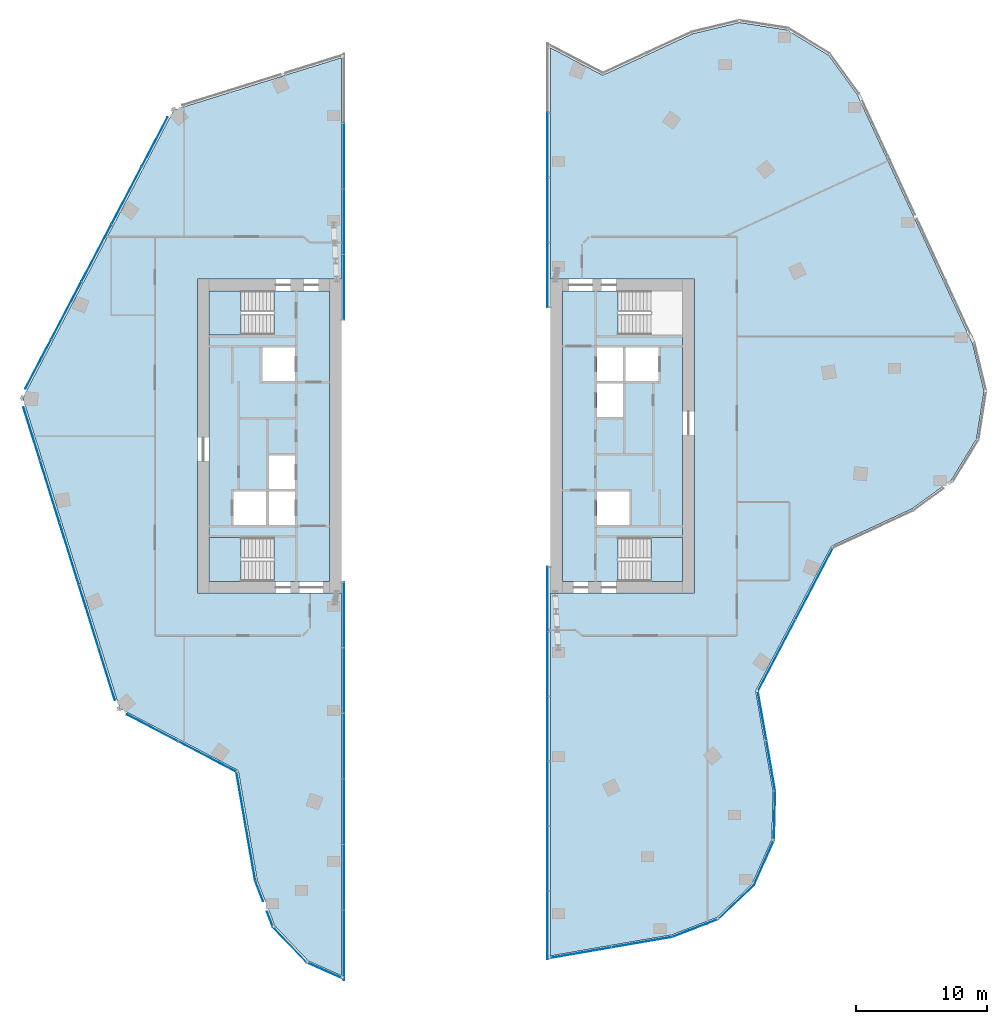
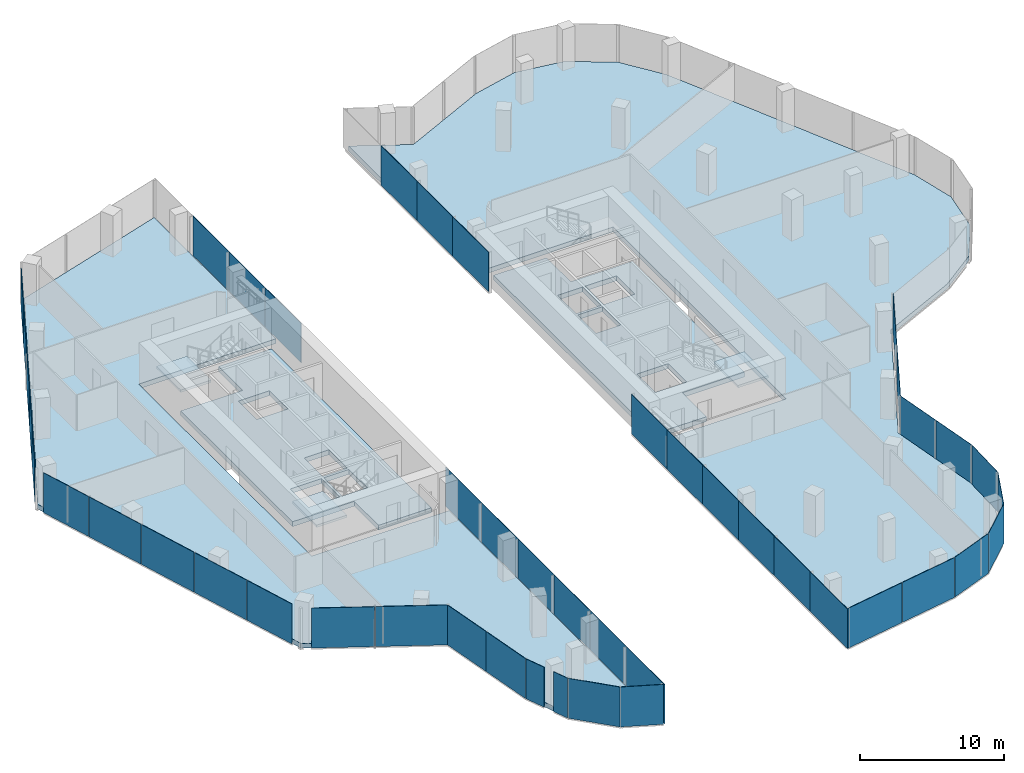
# One storey, part 16 of 23: 46 plates, 7 slabs, 19 elements without a shape of their own.
"""IFC4 building model written with IfcOpenShell, lengths in metres."""

import ifcopenshell
import ifcopenshell.guid

model = None  # the IFC model being written
_history = None  # IfcOwnerHistory: only IFC2X3 demands one
_inside = {}  # id of a spatial element -> (the spatial element, [elements in it])
_under = {}  # id of a project, library or spatial element -> (it, [spatial elements below it])
_declared = {}  # id of a project -> (the project, [libraries it declares])
_typed = {}  # id of a type object -> (the type object, [elements of that type])
_made_of = {}  # id of a material, layer set ... -> (it, [elements and type objects made of it])


def new_model(schema):
    """Start an empty IFC model of exactly this schema.

    Asked for "IFC4X3", IfcOpenShell would pick the latest addendum, in which some entities
    have other attributes; the version numbers below select the first issue.
    IFC2X3 requires an IfcOwnerHistory on every rooted entity: one is made here for all.
    """
    global model, _history
    if schema == "IFC4X3":
        model = ifcopenshell.file(schema_version=(4, 3, 0, 0))
    else:
        model = ifcopenshell.file(schema=schema)
    _inside.clear()
    _under.clear()
    _declared.clear()
    _typed.clear()
    _made_of.clear()
    _history = None
    if model.schema == "IFC2X3":
        org = make("IfcOrganization", Name="unknown")
        user = make(
            "IfcPersonAndOrganization",
            ThePerson=make("IfcPerson", FamilyName="unknown"),
            TheOrganization=org,
        )
        app = make(
            "IfcApplication",
            ApplicationDeveloper=org,
            Version="unknown",
            ApplicationFullName="unknown",
            ApplicationIdentifier="unknown",
        )
        _history = make(
            "IfcOwnerHistory",
            OwningUser=user,
            OwningApplication=app,
            ChangeAction="ADDED",
            CreationDate=0,
        )
    return model


def make(cls, **values):
    """One entity of the class cls with the attributes given. An attribute that is None is left unset."""
    return model.create_entity(
        cls, **{name: value for name, value in values.items() if value is not None}
    )


def rooted(cls, **values):
    """An entity with a GlobalId (a new one), such as an element, a storey or a relation."""
    return make(cls, GlobalId=ifcopenshell.guid.new(), OwnerHistory=_history, **values)


def si_unit(unit_type, name, prefix=None):
    """IfcSIUnit, for example si_unit("LENGTHUNIT", "METRE", prefix="MILLI")."""
    return make("IfcSIUnit", UnitType=unit_type, Prefix=prefix, Name=name)


def assignment(units):
    """IfcUnitAssignment: the units of a project."""
    return None if units is None else make("IfcUnitAssignment", Units=units)


def point(xyz):
    """IfcCartesianPoint."""
    return None if xyz is None else make("IfcCartesianPoint", Coordinates=xyz)


def direction(xyz):
    """IfcDirection."""
    return None if xyz is None else make("IfcDirection", DirectionRatios=xyz)


def frame(location, z_axis=None, x_axis=None):
    """IfcAxis2Placement3D, a coordinate frame: its origin and axes. An axis left out is left unset."""
    return make(
        "IfcAxis2Placement3D",
        Location=point(location),
        Axis=direction(z_axis),
        RefDirection=direction(x_axis),
    )


def frame_2d(location, x_axis=None):
    """IfcAxis2Placement2D, a coordinate frame in the plane: its origin and x axis."""
    return make(
        "IfcAxis2Placement2D", Location=point(location), RefDirection=direction(x_axis)
    )


def origin():
    """The frame at (0, 0, 0) with its axes left unset."""
    return frame((0.0, 0.0, 0.0))


def origin_2d():
    """The frame at (0, 0) in the plane with its x axis left unset."""
    return frame_2d((0.0, 0.0))


def place(relative_to, where):
    """IfcLocalPlacement: puts the frame where relative to a parent placement (None: the world)."""
    return make(
        "IfcLocalPlacement", PlacementRelTo=relative_to, RelativePlacement=where
    )


def context(
    kind, dimensions, precision=None, world=None, true_north=None, identifier=None
):
    """IfcGeometricRepresentationContext, for example the 3D "Model" context."""
    return make(
        "IfcGeometricRepresentationContext",
        ContextIdentifier=identifier,
        ContextType=kind,
        CoordinateSpaceDimension=dimensions,
        Precision=precision,
        WorldCoordinateSystem=world,
        TrueNorth=true_north,
    )


def subcontext(parent, identifier, kind, view, scale=None):
    """IfcGeometricRepresentationSubContext, for example "Body" below "Model"."""
    return make(
        "IfcGeometricRepresentationSubContext",
        ContextIdentifier=identifier,
        ContextType=kind,
        ParentContext=parent,
        TargetScale=scale,
        TargetView=view,
    )


def project(units=None, contexts=None):
    """IfcProject with its units and contexts."""
    return rooted(
        "IfcProject",
        Name="project",
        RepresentationContexts=contexts,
        UnitsInContext=assignment(units),
    )


def spatial(cls, under=None, at=None, **own):
    """A site, building, storey or space (cls), placed at a placement, below another one or the project."""
    s = rooted(cls, ObjectPlacement=at, **own)
    if under is not None:
        _under.setdefault(under.id(), (under, []))[1].append(s)
    return s


def polyline(points):
    """IfcPolyline through the points."""
    return make("IfcPolyline", Points=[point(p) for p in points])


def profile(cls, at=None, kind="AREA", **sizes):
    """A parametric profile (cls). Its sizes go by their IFC names, for example OverallWidth=200.0."""
    return make(cls, ProfileType=kind, Position=at, **sizes)


def rectangle(**sizes):
    """IfcRectangleProfileDef."""
    return profile("IfcRectangleProfileDef", **sizes)


def outline(outer, holes=None, kind="AREA"):
    """IfcArbitraryClosedProfileDef: a profile drawn as a closed curve; with holes, ...WithVoids."""
    if holes is None:
        return make("IfcArbitraryClosedProfileDef", ProfileType=kind, OuterCurve=outer)
    return make(
        "IfcArbitraryProfileDefWithVoids",
        ProfileType=kind,
        OuterCurve=outer,
        InnerCurves=holes,
    )


def extrude(swept, where, along, depth):
    """IfcExtrudedAreaSolid: the profile swept, set in the frame where, extruded along a direction by depth."""
    return make(
        "IfcExtrudedAreaSolid",
        SweptArea=swept,
        Position=where,
        ExtrudedDirection=direction(along),
        Depth=depth,
    )


def shape(context_of_items, identifier, shape_type, items):
    """IfcShapeRepresentation: the items that make up one representation, for example the "Body"."""
    return make(
        "IfcShapeRepresentation",
        ContextOfItems=context_of_items,
        RepresentationIdentifier=identifier,
        RepresentationType=shape_type,
        Items=items,
    )


def material(Name=None, Category=None):
    """IfcMaterial."""
    return make("IfcMaterial", Name=Name, Category=Category)


def layer(
    of_material, thickness, ventilated=None, Name=None, Category=None, Priority=None
):
    """IfcMaterialLayer: one layer of a wall or slab, of a material (None: an air gap)."""
    return make(
        "IfcMaterialLayer",
        Material=of_material,
        LayerThickness=thickness,
        IsVentilated=ventilated,
        Name=Name,
        Category=Category,
        Priority=Priority,
    )


def layer_set(layers, Name=None):
    """IfcMaterialLayerSet."""
    return make("IfcMaterialLayerSet", MaterialLayers=layers, LayerSetName=Name)


def made_of(thing, what):
    """Note that an element or type object is made of a material, layer set ...; save() writes the relation."""
    if what is not None:
        _made_of.setdefault(what.id(), (what, []))[1].append(thing)
    return thing


def type_object(cls, material=None, **own):
    """A type object (cls), such as IfcWallType, which elements share."""
    return made_of(rooted(cls, **own), material)


def element(
    cls,
    number,
    at=None,
    inside=None,
    cuts=None,
    type_object=None,
    material=None,
    context=None,
    identifier="Body",
    shape_type=None,
    held_by="IfcProductDefinitionShape",
    body=None,
    shapes=None,
    **own,
):
    """One element of the class cls, such as IfcWall. Its Tag is "e" and its number.

    at: its placement. inside: the storey or other place that contains it. cuts: it is an
    opening in that element (IfcRelVoidsElement). A single representation is given by context,
    identifier, shape_type and body (its items); several are given by shapes. held_by: the class
    of the entity that holds the representations. save() writes the other relations.
    """
    e = rooted(cls, Tag="e%d" % number, ObjectPlacement=at, **own)
    if body is not None:
        shapes = [shape(context, identifier, shape_type, body)]
    if shapes is not None:
        e.Representation = make(held_by, Representations=shapes)
    if inside is not None:
        _inside.setdefault(inside.id(), (inside, []))[1].append(e)
    if cuts is not None:
        rooted(
            "IfcRelVoidsElement", RelatingBuildingElement=cuts, RelatedOpeningElement=e
        )
    if type_object is not None:
        _typed.setdefault(type_object.id(), (type_object, []))[1].append(e)
    return made_of(e, material)


def aggregate(whole, parts):
    """IfcRelAggregates: a whole, such as a stair, and the parts it consists of."""
    return rooted("IfcRelAggregates", RelatingObject=whole, RelatedObjects=parts)


def save(model, path):
    """Write the relations noted so far, then the file.

    IfcRelAggregates (storeys below a building ...), IfcRelContainedInSpatialStructure (elements
    in a storey), IfcRelDefinesByType, IfcRelAssociatesMaterial and IfcRelDeclares: one each for
    every whole, place, type object, material and project.
    """
    for whole, parts in _under.values():
        aggregate(whole, parts)
    for where, things in _inside.values():
        rooted(
            "IfcRelContainedInSpatialStructure",
            RelatedElements=things,
            RelatingStructure=where,
        )
    for kind, things in _typed.values():
        rooted("IfcRelDefinesByType", RelatedObjects=things, RelatingType=kind)
    for what, things in _made_of.values():
        rooted("IfcRelAssociatesMaterial", RelatedObjects=things, RelatingMaterial=what)
    for by, libraries in _declared.values():
        rooted("IfcRelDeclares", RelatingContext=by, RelatedDefinitions=libraries)
    model.write(path)


model = new_model("IFC4")

# Units and contexts
model_context = context("Model", 3, precision=1e-05, world=origin(), true_north=direction((0.0, 1.0)))
body_context = subcontext(model_context, "Body", "Model", "MODEL_VIEW")
ifc_project = project(units=[si_unit("LENGTHUNIT", "METRE"), si_unit("AREAUNIT", "SQUARE_METRE"), si_unit("VOLUMEUNIT", "CUBIC_METRE"), si_unit("PLANEANGLEUNIT", "RADIAN"), si_unit("MASSUNIT", "GRAM", prefix="KILO")], contexts=[model_context])

# Site, building, storey
site_placement = place(None, origin())
site = spatial("IfcSite", under=ifc_project, at=site_placement, CompositionType="ELEMENT")
building_placement = place(site_placement, origin())
building = spatial("IfcBuilding", under=site, at=building_placement, Name="Orlundy Tower", CompositionType="ELEMENT")
storey_placement = place(building_placement, frame((0.0, 0.0, 260.5)))
storey = spatial("IfcBuildingStorey", under=building, at=storey_placement, Name="L69", CompositionType="ELEMENT", Elevation=260.5)

# Curtain wall, plates
ifc_material_1 = material(Name="Aluminium bronze anodised", Category="aluminium")
curtain_wall_type = type_object("IfcCurtainWallType", Name="CW1 wall", PredefinedType="NOTDEFINED", material=ifc_material_1)
curtain_wall_1_placement = place(storey_placement, origin())
curtain_wall_1 = element("IfcCurtainWall", 1, at=curtain_wall_1_placement, inside=storey, type_object=curtain_wall_type, Name="CW1 run 00", PredefinedType="NOTDEFINED")
ifc_material_2 = material(Name="Tinted glass", Category="glass")
ifc_layer_1 = layer(ifc_material_2, 0.031982421875)
ifc_layer_set_1 = layer_set([ifc_layer_1], Name="CW1 glass panel 32")
plate_type_1 = type_object("IfcPlateType", Name="CW1 glass panel 32", PredefinedType="CURTAIN_PANEL", material=ifc_layer_set_1)
plate_1_placement = place(storey_placement, frame((-18.236328125, -24.4970703125, -0.280029296875), z_axis=(0.0, 0.0, 1.0), x_axis=(-0.885665125804, 0.464324546988, 0.0)))
plate_1 = element("IfcPlate", 2, at=plate_1_placement, type_object=plate_type_1, Name="CW1 panel", PredefinedType="CURTAIN_PANEL", context=body_context, shape_type="SweptSolid", body=[
    extrude(rectangle(XDim=5.01220703125, YDim=0.031982421875, at=origin_2d()), origin(), (0.0, 0.0, 1.0), 3.3798828125),
])
plate_2_placement = place(storey_placement, frame((-22.4384765625, -22.2939453125, -0.280029296875), z_axis=(0.0, 0.0, 1.0), x_axis=(-0.885665125804, 0.464324546988, 0.0)))
plate_2 = element("IfcPlate", 3, at=plate_2_placement, type_object=plate_type_1, Name="CW1 panel", PredefinedType="CURTAIN_PANEL", context=body_context, shape_type="SweptSolid", body=[
    extrude(rectangle(XDim=4.376953125, YDim=0.031982421875, at=origin_2d()), origin(), (0.0, 0.0, 1.0), 3.3798828125),
])
aggregate(curtain_wall_1, [plate_1, plate_2])

curtain_wall_2_placement = place(storey_placement, origin())
curtain_wall_2 = element("IfcCurtainWall", 4, at=curtain_wall_2_placement, inside=storey, type_object=curtain_wall_type, Name="CW1 run 01", PredefinedType="NOTDEFINED")
plate_3_placement = place(storey_placement, frame((-25.935302734375, -18.14599609375, -0.280029296875), z_axis=(0.0, 0.0, 1.0), x_axis=(-0.297954226643, 0.954580158408, 0.0)))
plate_3 = element("IfcPlate", 5, at=plate_3_placement, type_object=plate_type_1, Name="CW1 panel", PredefinedType="CURTAIN_PANEL", context=body_context, shape_type="SweptSolid", body=[
    extrude(rectangle(XDim=4.228271484375, YDim=0.031982421875, at=origin_2d()), origin(), (0.0, 0.0, 1.0), 3.3798828125),
])
plate_4_placement = place(storey_placement, frame((-27.31298828125, -13.731689453125, -0.280029296875), z_axis=(0.0, 0.0, 1.0), x_axis=(-0.297954226643, 0.954580158408, 0.0)))
plate_4 = element("IfcPlate", 6, at=plate_4_placement, type_object=plate_type_1, Name="CW1 panel", PredefinedType="CURTAIN_PANEL", context=body_context, shape_type="SweptSolid", body=[
    extrude(rectangle(XDim=4.920654296875, YDim=0.031982421875, at=origin_2d()), origin(), (0.0, 0.0, 1.0), 3.3798828125),
])
plate_5_placement = place(storey_placement, frame((-28.7939453125, -8.98681640625, -0.280029296875), z_axis=(0.0, 0.0, 1.0), x_axis=(-0.297954226643, 0.954580158408, 0.0)))
plate_5 = element("IfcPlate", 7, at=plate_5_placement, type_object=plate_type_1, Name="CW1 panel", PredefinedType="CURTAIN_PANEL", context=body_context, shape_type="SweptSolid", body=[
    extrude(rectangle(XDim=4.920654296875, YDim=0.031982421875, at=origin_2d()), origin(), (0.0, 0.0, 1.0), 3.3798828125),
])
plate_6_placement = place(storey_placement, frame((-30.275146484375, -4.241943359375, -0.280029296875), z_axis=(0.0, 0.0, 1.0), x_axis=(-0.297954226643, 0.954580158408, 0.0)))
plate_6 = element("IfcPlate", 8, at=plate_6_placement, type_object=plate_type_1, Name="CW1 panel", PredefinedType="CURTAIN_PANEL", context=body_context, shape_type="SweptSolid", body=[
    extrude(rectangle(XDim=4.920654296875, YDim=0.031982421875, at=origin_2d()), origin(), (0.0, 0.0, 1.0), 3.3798828125),
])
plate_7_placement = place(storey_placement, frame((-31.653076171875, 0.1728515625, -0.280029296875), z_axis=(0.0, 0.0, 1.0), x_axis=(-0.297954226643, 0.954580158408, 0.0)))
plate_7 = element("IfcPlate", 9, at=plate_7_placement, type_object=plate_type_1, Name="CW1 panel", PredefinedType="CURTAIN_PANEL", context=body_context, shape_type="SweptSolid", body=[
    extrude(rectangle(XDim=4.229248046875, YDim=0.031982421875, at=origin_2d()), origin(), (0.0, 0.0, 1.0), 3.3798828125),
])
aggregate(curtain_wall_2, [plate_3, plate_4, plate_5, plate_6, plate_7])

curtain_wall_3_placement = place(storey_placement, origin())
curtain_wall_3 = element("IfcCurtainWall", 10, at=curtain_wall_3_placement, inside=storey, type_object=curtain_wall_type, Name="CW1 run 02", PredefinedType="NOTDEFINED")
plate_8_placement = place(storey_placement, frame((-31.17041015625, 5.5078125, -0.280029296875), z_axis=(0.0, 0.0, 1.0), x_axis=(0.464336233904, 0.885658998646, 0.0)))
plate_8 = element("IfcPlate", 11, at=plate_8_placement, type_object=plate_type_1, Name="CW1 panel", PredefinedType="CURTAIN_PANEL", context=body_context, shape_type="SweptSolid", body=[
    extrude(rectangle(XDim=4.228271484375, YDim=0.031982421875, at=origin_2d()), origin(), (0.0, 0.0, 1.0), 3.3798828125),
])
plate_9_placement = place(storey_placement, frame((-29.023193359375, 9.603515625, -0.280029296875), z_axis=(0.0, 0.0, 1.0), x_axis=(0.464336233904, 0.885658998646, 0.0)))
plate_9 = element("IfcPlate", 12, at=plate_9_placement, type_object=plate_type_1, Name="CW1 panel", PredefinedType="CURTAIN_PANEL", context=body_context, shape_type="SweptSolid", body=[
    extrude(rectangle(XDim=4.920654296875, YDim=0.031982421875, at=origin_2d()), origin(), (0.0, 0.0, 1.0), 3.3798828125),
])
plate_10_placement = place(storey_placement, frame((-26.71533203125, 14.005615234375, -0.280029296875), z_axis=(0.0, 0.0, 1.0), x_axis=(0.464336233904, 0.885658998646, 0.0)))
plate_10 = element("IfcPlate", 13, at=plate_10_placement, type_object=plate_type_1, Name="CW1 panel", PredefinedType="CURTAIN_PANEL", context=body_context, shape_type="SweptSolid", body=[
    extrude(rectangle(XDim=4.920654296875, YDim=0.031982421875, at=origin_2d()), origin(), (0.0, 0.0, 1.0), 3.3798828125),
])
plate_11_placement = place(storey_placement, frame((-24.4072265625, 18.407958984375, -0.280029296875), z_axis=(0.0, 0.0, 1.0), x_axis=(0.464336233904, 0.885658998646, 0.0)))
plate_11 = element("IfcPlate", 14, at=plate_11_placement, type_object=plate_type_1, Name="CW1 panel", PredefinedType="CURTAIN_PANEL", context=body_context, shape_type="SweptSolid", body=[
    extrude(rectangle(XDim=4.920654296875, YDim=0.031982421875, at=origin_2d()), origin(), (0.0, 0.0, 1.0), 3.3798828125),
])
plate_12_placement = place(storey_placement, frame((-22.259765625, 22.50390625, -0.280029296875), z_axis=(0.0, 0.0, 1.0), x_axis=(0.464336233904, 0.885658998646, 0.0)))
plate_12 = element("IfcPlate", 15, at=plate_12_placement, type_object=plate_type_1, Name="CW1 panel", PredefinedType="CURTAIN_PANEL", context=body_context, shape_type="SweptSolid", body=[
    extrude(rectangle(XDim=4.229248046875, YDim=0.031982421875, at=origin_2d()), origin(), (0.0, 0.0, 1.0), 3.3798828125),
])
aggregate(curtain_wall_3, [plate_8, plate_9, plate_10, plate_11, plate_12])

# Curtain wall, plate
curtain_wall_4_placement = place(storey_placement, origin())
curtain_wall_4 = element("IfcCurtainWall", 16, at=curtain_wall_4_placement, inside=storey, type_object=curtain_wall_type, Name="CW1 run 05", PredefinedType="NOTDEFINED")
plate_13_placement = place(storey_placement, frame((-9.2275390625, -40.85791015625, -0.280029296875), z_axis=(0.0, 0.0, 1.0), x_axis=(-0.914125034719, 0.405432387581, 0.0)))
plate_13 = element("IfcPlate", 17, at=plate_13_placement, type_object=plate_type_1, Name="CW1 panel", PredefinedType="CURTAIN_PANEL", context=body_context, shape_type="SweptSolid", body=[
    extrude(rectangle(XDim=3.044677734375, YDim=0.031982421875, at=origin_2d()), origin(), (0.0, 0.0, 1.0), 3.3798828125),
])
aggregate(curtain_wall_4, [plate_13])

curtain_wall_5_placement = place(storey_placement, origin())
curtain_wall_5 = element("IfcCurtainWall", 18, at=curtain_wall_5_placement, inside=storey, type_object=curtain_wall_type, Name="CW1 run 06", PredefinedType="NOTDEFINED")
plate_14_placement = place(storey_placement, frame((-11.919677734375, -38.87451171875, -0.280029296875), z_axis=(0.0, 0.0, 1.0), x_axis=(-0.689493494749, 0.724291875351, 0.0)))
plate_14 = element("IfcPlate", 19, at=plate_14_placement, type_object=plate_type_1, Name="CW1 panel", PredefinedType="CURTAIN_PANEL", context=body_context, shape_type="SweptSolid", body=[
    extrude(rectangle(XDim=3.772216796875, YDim=0.031982421875, at=origin_2d()), origin(), (0.0, 0.0, 1.0), 3.3798828125),
])
aggregate(curtain_wall_5, [plate_14])

# Curtain wall, plates
curtain_wall_6_placement = place(storey_placement, origin())
curtain_wall_6 = element("IfcCurtainWall", 20, at=curtain_wall_6_placement, inside=storey, type_object=curtain_wall_type, Name="CW1 run 07", PredefinedType="NOTDEFINED")
plate_15_placement = place(storey_placement, frame((-13.44482421875, -36.92578125, -0.280029296875), z_axis=(0.0, 0.0, 1.0), x_axis=(-0.359593615358, 0.933109013885, 0.0)))
plate_15 = element("IfcPlate", 21, at=plate_15_placement, type_object=plate_type_1, Name="CW1 panel", PredefinedType="CURTAIN_PANEL", context=body_context, shape_type="SweptSolid", body=[
    extrude(rectangle(XDim=1.2490234375, YDim=0.031982421875, at=origin_2d()), origin(), (0.0, 0.0, 1.0), 3.3798828125),
])
plate_16_placement = place(storey_placement, frame((-14.267822265625, -34.7900390625, -0.280029296875), z_axis=(0.0, 0.0, 1.0), x_axis=(-0.359593615358, 0.933109013885, 0.0)))
plate_16 = element("IfcPlate", 22, at=plate_16_placement, type_object=plate_type_1, Name="CW1 panel", PredefinedType="CURTAIN_PANEL", context=body_context, shape_type="SweptSolid", body=[
    extrude(rectangle(XDim=1.634521484375, YDim=0.031982421875, at=origin_2d()), origin(), (0.0, 0.0, 1.0), 3.3798828125),
])
aggregate(curtain_wall_6, [plate_15, plate_16])

curtain_wall_7_placement = place(storey_placement, origin())
curtain_wall_7 = element("IfcCurtainWall", 23, at=curtain_wall_7_placement, inside=storey, type_object=curtain_wall_type, Name="CW1 run 08", PredefinedType="NOTDEFINED")
plate_17_placement = place(storey_placement, frame((-14.9365234375, -31.89404296875, -0.280029296875), z_axis=(0.0, 0.0, 1.0), x_axis=(-0.170762449807, 0.985312227538, 0.0)))
plate_17 = element("IfcPlate", 24, at=plate_17_placement, type_object=plate_type_1, Name="CW1 panel", PredefinedType="CURTAIN_PANEL", context=body_context, shape_type="SweptSolid", body=[
    extrude(rectangle(XDim=4.232177734375, YDim=0.031982421875, at=origin_2d()), origin(), (0.0, 0.0, 1.0), 3.3798828125),
])
plate_18_placement = place(storey_placement, frame((-15.66162109375, -27.710205078125, -0.280029296875), z_axis=(0.0, 0.0, 1.0), x_axis=(-0.170762449807, 0.985312227538, 0.0)))
plate_18 = element("IfcPlate", 25, at=plate_18_placement, type_object=plate_type_1, Name="CW1 panel", PredefinedType="CURTAIN_PANEL", context=body_context, shape_type="SweptSolid", body=[
    extrude(rectangle(XDim=4.160400390625, YDim=0.031982421875, at=origin_2d()), origin(), (0.0, 0.0, 1.0), 3.3798828125),
])
aggregate(curtain_wall_7, [plate_17, plate_18])

curtain_wall_8_placement = place(storey_placement, origin())
curtain_wall_8 = element("IfcCurtainWall", 26, at=curtain_wall_8_placement, inside=storey, type_object=curtain_wall_type, Name="CW1 run 111", PredefinedType="NOTDEFINED")
plate_19_placement = place(storey_placement, frame((28.15771484375, -11.25439453125, -0.280029296875), z_axis=(0.0, 0.0, 1.0), x_axis=(-0.464333145939, -0.885660617608, 0.0)))
plate_19 = element("IfcPlate", 27, at=plate_19_placement, type_object=plate_type_1, Name="CW1 panel", PredefinedType="CURTAIN_PANEL", context=body_context, shape_type="SweptSolid", body=[
    extrude(rectangle(XDim=6.16259765625, YDim=0.031982421875, at=origin_2d()), origin(), (0.0, 0.0, 1.0), 3.3798828125),
])
plate_20_placement = place(storey_placement, frame((25.27294921875, -16.7568359375, -0.280029296875), z_axis=(0.0, 0.0, 1.0), x_axis=(-0.464333145939, -0.885660617608, 0.0)))
plate_20 = element("IfcPlate", 28, at=plate_20_placement, type_object=plate_type_1, Name="CW1 panel", PredefinedType="CURTAIN_PANEL", context=body_context, shape_type="SweptSolid", body=[
    extrude(rectangle(XDim=6.16259765625, YDim=0.031982421875, at=origin_2d()), origin(), (0.0, 0.0, 1.0), 3.3798828125),
])
aggregate(curtain_wall_8, [plate_19, plate_20])

curtain_wall_9_placement = place(storey_placement, origin())
curtain_wall_9 = element("IfcCurtainWall", 29, at=curtain_wall_9_placement, inside=storey, type_object=curtain_wall_type, Name="CW1 run 112", PredefinedType="NOTDEFINED")
plate_21_placement = place(storey_placement, frame((24.16748046875, -21.363525390625, -0.280029296875), z_axis=(0.0, 0.0, 1.0), x_axis=(0.170728522047, -0.985318106887, 0.0)))
plate_21 = element("IfcPlate", 30, at=plate_21_placement, type_object=plate_type_1, Name="CW1 panel", PredefinedType="CURTAIN_PANEL", context=body_context, shape_type="SweptSolid", body=[
    extrude(rectangle(XDim=3.8115234375, YDim=0.031982421875, at=origin_2d()), origin(), (0.0, 0.0, 1.0), 3.3798828125),
])
plate_22_placement = place(storey_placement, frame((24.830810546875, -25.19140625, -0.280029296875), z_axis=(0.0, 0.0, 1.0), x_axis=(0.170728522047, -0.985318106887, 0.0)))
plate_22 = element("IfcPlate", 31, at=plate_22_placement, type_object=plate_type_1, Name="CW1 panel", PredefinedType="CURTAIN_PANEL", context=body_context, shape_type="SweptSolid", body=[
    extrude(rectangle(XDim=3.858154296875, YDim=0.031982421875, at=origin_2d()), origin(), (0.0, 0.0, 1.0), 3.3798828125),
])
aggregate(curtain_wall_9, [plate_21, plate_22])

# Curtain wall, plate
curtain_wall_10_placement = place(storey_placement, origin())
curtain_wall_10 = element("IfcCurtainWall", 32, at=curtain_wall_10_placement, inside=storey, type_object=curtain_wall_type, Name="CW1 run 113", PredefinedType="NOTDEFINED")
plate_23_placement = place(storey_placement, frame((25.117919921875, -29.00634765625, -0.280029296875), z_axis=(0.0, 0.0, 1.0), x_axis=(-0.024553998372, -0.999698505132, 0.0)))
plate_23 = element("IfcPlate", 33, at=plate_23_placement, type_object=plate_type_1, Name="CW1 panel", PredefinedType="CURTAIN_PANEL", context=body_context, shape_type="SweptSolid", body=[
    extrude(rectangle(XDim=3.729736328125, YDim=0.031982421875, at=origin_2d()), origin(), (0.0, 0.0, 1.0), 3.3798828125),
])
aggregate(curtain_wall_10, [plate_23])

curtain_wall_11_placement = place(storey_placement, origin())
curtain_wall_11 = element("IfcCurtainWall", 34, at=curtain_wall_11_placement, inside=storey, type_object=curtain_wall_type, Name="CW1 run 114", PredefinedType="NOTDEFINED")
plate_24_placement = place(storey_placement, frame((24.307373046875, -32.594970703125, -0.280029296875), z_axis=(0.0, 0.0, 1.0), x_axis=(-0.405412554633, -0.914133830763, 0.0)))
plate_24 = element("IfcPlate", 35, at=plate_24_placement, type_object=plate_type_1, Name="CW1 panel", PredefinedType="CURTAIN_PANEL", context=body_context, shape_type="SweptSolid", body=[
    extrude(rectangle(XDim=3.772705078125, YDim=0.031982421875, at=origin_2d()), origin(), (0.0, 0.0, 1.0), 3.3798828125),
])
aggregate(curtain_wall_11, [plate_24])

curtain_wall_12_placement = place(storey_placement, origin())
curtain_wall_12 = element("IfcCurtainWall", 36, at=curtain_wall_12_placement, inside=storey, type_object=curtain_wall_type, Name="CW1 run 115", PredefinedType="NOTDEFINED")
plate_25_placement = place(storey_placement, frame((22.176513671875, -35.619384765625, -0.280029296875), z_axis=(0.0, 0.0, 1.0), x_axis=(-0.7244266007, -0.689351942188, 0.0)))
plate_25 = element("IfcPlate", 37, at=plate_25_placement, type_object=plate_type_1, Name="CW1 panel", PredefinedType="CURTAIN_PANEL", context=body_context, shape_type="SweptSolid", body=[
    extrude(rectangle(XDim=3.771728515625, YDim=0.031982421875, at=origin_2d()), origin(), (0.0, 0.0, 1.0), 3.3798828125),
])
aggregate(curtain_wall_12, [plate_25])

curtain_wall_13_placement = place(storey_placement, origin())
curtain_wall_13 = element("IfcCurtainWall", 38, at=curtain_wall_13_placement, inside=storey, type_object=curtain_wall_type, Name="CW1 run 116", PredefinedType="NOTDEFINED")
plate_26_placement = place(storey_placement, frame((19.06982421875, -37.590576171875, -0.280029296875), z_axis=(0.0, 0.0, 1.0), x_axis=(-0.933018476944, -0.359828461467, 0.0)))
plate_26 = element("IfcPlate", 39, at=plate_26_placement, type_object=plate_type_1, Name="CW1 panel", PredefinedType="CURTAIN_PANEL", context=body_context, shape_type="SweptSolid", body=[
    extrude(rectangle(XDim=3.73095703125, YDim=0.031982421875, at=origin_2d()), origin(), (0.0, 0.0, 1.0), 3.3798828125),
])
aggregate(curtain_wall_13, [plate_26])

# Curtain wall, plates
curtain_wall_14_placement = place(storey_placement, origin())
curtain_wall_14 = element("IfcCurtainWall", 40, at=curtain_wall_14_placement, inside=storey, type_object=curtain_wall_type, Name="CW1 run 117", PredefinedType="NOTDEFINED")
plate_27_placement = place(storey_placement, frame((14.982421875, -38.673583984375, -0.280029296875), z_axis=(0.0, 0.0, 1.0), x_axis=(-0.985315418883, -0.170744034483, 0.0)))
plate_27 = element("IfcPlate", 41, at=plate_27_placement, type_object=plate_type_1, Name="CW1 panel", PredefinedType="CURTAIN_PANEL", context=body_context, shape_type="SweptSolid", body=[
    extrude(rectangle(XDim=4.666015625, YDim=0.031982421875, at=origin_2d()), origin(), (0.0, 0.0, 1.0), 3.3798828125),
])
plate_28_placement = place(storey_placement, frame((10.235107421875, -39.49609375, -0.280029296875), z_axis=(0.0, 0.0, 1.0), x_axis=(-0.985315418883, -0.170744034483, 0.0)))
plate_28 = element("IfcPlate", 42, at=plate_28_placement, type_object=plate_type_1, Name="CW1 panel", PredefinedType="CURTAIN_PANEL", context=body_context, shape_type="SweptSolid", body=[
    extrude(rectangle(XDim=4.869873046875, YDim=0.031982421875, at=origin_2d()), origin(), (0.0, 0.0, 1.0), 3.3798828125),
])
aggregate(curtain_wall_14, [plate_27, plate_28])

curtain_wall_15_placement = place(storey_placement, origin())
curtain_wall_15 = element("IfcCurtainWall", 43, at=curtain_wall_15_placement, inside=storey, type_object=curtain_wall_type, Name="CW1 run 04", PredefinedType="NOTDEFINED")
ifc_material_3 = material(Name="Tinted glass", Category="glass")
ifc_layer_2 = layer(ifc_material_3, 0.035888671875)
ifc_layer_set_2 = layer_set([ifc_layer_2], Name="CW6 glass panel 36")
plate_type_2 = type_object("IfcPlateType", Name="CW6 glass panel 36", PredefinedType="CURTAIN_PANEL", material=ifc_layer_set_2)
plate_29_placement = place(storey_placement, frame((-7.778076171875, 21.41357421875, -0.240234375), z_axis=(0.0, 0.0, 1.0), x_axis=(0.0, -1.0, 0.0)))
plate_29 = element("IfcPlate", 44, at=plate_29_placement, type_object=plate_type_2, Name="CW6 panel", PredefinedType="CURTAIN_PANEL", context=body_context, shape_type="SweptSolid", body=[
    extrude(rectangle(XDim=5.010986328125, YDim=0.035888671875, at=origin_2d()), origin(), (0.0, 0.0, 1.0), 3.340087890625),
])
plate_30_placement = place(storey_placement, frame((-7.778076171875, 16.402587890625, -0.240234375), z_axis=(0.0, 0.0, 1.0), x_axis=(0.0, -1.0, 0.0)))
plate_30 = element("IfcPlate", 45, at=plate_30_placement, type_object=plate_type_2, Name="CW6 panel", PredefinedType="CURTAIN_PANEL", context=body_context, shape_type="SweptSolid", body=[
    extrude(rectangle(XDim=5.010986328125, YDim=0.035888671875, at=origin_2d()), origin(), (0.0, 0.0, 1.0), 3.340087890625),
])
plate_31_placement = place(storey_placement, frame((-7.778076171875, 11.391845703125, -0.240234375), z_axis=(0.0, 0.0, 1.0), x_axis=(0.0, -1.0, 0.0)))
plate_31 = element("IfcPlate", 46, at=plate_31_placement, type_object=plate_type_2, Name="CW6 panel", PredefinedType="CURTAIN_PANEL", context=body_context, shape_type="SweptSolid", body=[
    extrude(rectangle(XDim=5.010986328125, YDim=0.035888671875, at=origin_2d()), origin(), (0.0, 0.0, 1.0), 3.340087890625),
])
plate_32_placement = place(storey_placement, frame((-7.778076171875, -13.662841796875, -0.240234375), z_axis=(0.0, 0.0, 1.0), x_axis=(0.0, -1.0, 0.0)))
plate_32 = element("IfcPlate", 47, at=plate_32_placement, type_object=plate_type_2, Name="CW6 panel", PredefinedType="CURTAIN_PANEL", context=body_context, shape_type="SweptSolid", body=[
    extrude(rectangle(XDim=5.010986328125, YDim=0.035888671875, at=origin_2d()), origin(), (0.0, 0.0, 1.0), 3.340087890625),
])
plate_33_placement = place(storey_placement, frame((-7.778076171875, -18.673828125, -0.240234375), z_axis=(0.0, 0.0, 1.0), x_axis=(0.0, -1.0, 0.0)))
plate_33 = element("IfcPlate", 48, at=plate_33_placement, type_object=plate_type_2, Name="CW6 panel", PredefinedType="CURTAIN_PANEL", context=body_context, shape_type="SweptSolid", body=[
    extrude(rectangle(XDim=5.010986328125, YDim=0.035888671875, at=origin_2d()), origin(), (0.0, 0.0, 1.0), 3.340087890625),
])
plate_34_placement = place(storey_placement, frame((-7.778076171875, -23.684814453125, -0.240234375), z_axis=(0.0, 0.0, 1.0), x_axis=(0.0, -1.0, 0.0)))
plate_34 = element("IfcPlate", 49, at=plate_34_placement, type_object=plate_type_2, Name="CW6 panel", PredefinedType="CURTAIN_PANEL", context=body_context, shape_type="SweptSolid", body=[
    extrude(rectangle(XDim=5.010986328125, YDim=0.035888671875, at=origin_2d()), origin(), (0.0, 0.0, 1.0), 3.340087890625),
])
plate_35_placement = place(storey_placement, frame((-7.778076171875, -28.695556640625, -0.240234375), z_axis=(0.0, 0.0, 1.0), x_axis=(0.0, -1.0, 0.0)))
plate_35 = element("IfcPlate", 50, at=plate_35_placement, type_object=plate_type_2, Name="CW6 panel", PredefinedType="CURTAIN_PANEL", context=body_context, shape_type="SweptSolid", body=[
    extrude(rectangle(XDim=5.010986328125, YDim=0.035888671875, at=origin_2d()), origin(), (0.0, 0.0, 1.0), 3.340087890625),
])
plate_36_placement = place(storey_placement, frame((-7.778076171875, -33.70654296875, -0.240234375), z_axis=(0.0, 0.0, 1.0), x_axis=(0.0, -1.0, 0.0)))
plate_36 = element("IfcPlate", 51, at=plate_36_placement, type_object=plate_type_2, Name="CW6 panel", PredefinedType="CURTAIN_PANEL", context=body_context, shape_type="SweptSolid", body=[
    extrude(rectangle(XDim=5.010986328125, YDim=0.035888671875, at=origin_2d()), origin(), (0.0, 0.0, 1.0), 3.340087890625),
])
plate_37_placement = place(storey_placement, frame((-7.778076171875, -38.88818359375, -0.240234375), z_axis=(0.0, 0.0, 1.0), x_axis=(0.0, -1.0, 0.0)))
plate_37 = element("IfcPlate", 52, at=plate_37_placement, type_object=plate_type_2, Name="CW6 panel", PredefinedType="CURTAIN_PANEL", context=body_context, shape_type="SweptSolid", body=[
    extrude(rectangle(XDim=5.352294921875, YDim=0.035888671875, at=origin_2d()), origin(), (0.0, 0.0, 1.0), 3.340087890625),
])
aggregate(curtain_wall_15, [plate_29, plate_30, plate_31, plate_32, plate_33, plate_34, plate_35, plate_36, plate_37])

curtain_wall_16_placement = place(storey_placement, origin())
curtain_wall_16 = element("IfcCurtainWall", 53, at=curtain_wall_16_placement, inside=storey, type_object=curtain_wall_type, Name="CW1 run 118", PredefinedType="NOTDEFINED")
plate_38_placement = place(storey_placement, frame((7.778076171875, -37.370361328125, -0.240234375), z_axis=(0.0, 0.0, 1.0), x_axis=(0.0, 1.0, 0.0)))
plate_38 = element("IfcPlate", 54, at=plate_38_placement, type_object=plate_type_2, Name="CW6 panel", PredefinedType="CURTAIN_PANEL", context=body_context, shape_type="SweptSolid", body=[
    extrude(rectangle(XDim=5.220703125, YDim=0.035888671875, at=origin_2d()), origin(), (0.0, 0.0, 1.0), 3.340087890625),
])
plate_39_placement = place(storey_placement, frame((7.778076171875, -32.28173828125, -0.240234375), z_axis=(0.0, 0.0, 1.0), x_axis=(0.0, 1.0, 0.0)))
plate_39 = element("IfcPlate", 55, at=plate_39_placement, type_object=plate_type_2, Name="CW6 panel", PredefinedType="CURTAIN_PANEL", context=body_context, shape_type="SweptSolid", body=[
    extrude(rectangle(XDim=4.956787109375, YDim=0.035888671875, at=origin_2d()), origin(), (0.0, 0.0, 1.0), 3.340087890625),
])
plate_40_placement = place(storey_placement, frame((7.778076171875, -27.324951171875, -0.240234375), z_axis=(0.0, 0.0, 1.0), x_axis=(0.0, 1.0, 0.0)))
plate_40 = element("IfcPlate", 56, at=plate_40_placement, type_object=plate_type_2, Name="CW6 panel", PredefinedType="CURTAIN_PANEL", context=body_context, shape_type="SweptSolid", body=[
    extrude(rectangle(XDim=4.956787109375, YDim=0.035888671875, at=origin_2d()), origin(), (0.0, 0.0, 1.0), 3.340087890625),
])
plate_41_placement = place(storey_placement, frame((7.778076171875, -22.367919921875, -0.240234375), z_axis=(0.0, 0.0, 1.0), x_axis=(0.0, 1.0, 0.0)))
plate_41 = element("IfcPlate", 57, at=plate_41_placement, type_object=plate_type_2, Name="CW6 panel", PredefinedType="CURTAIN_PANEL", context=body_context, shape_type="SweptSolid", body=[
    extrude(rectangle(XDim=4.956787109375, YDim=0.035888671875, at=origin_2d()), origin(), (0.0, 0.0, 1.0), 3.340087890625),
])
plate_42_placement = place(storey_placement, frame((7.778076171875, -17.4111328125, -0.240234375), z_axis=(0.0, 0.0, 1.0), x_axis=(0.0, 1.0, 0.0)))
plate_42 = element("IfcPlate", 58, at=plate_42_placement, type_object=plate_type_2, Name="CW6 panel", PredefinedType="CURTAIN_PANEL", context=body_context, shape_type="SweptSolid", body=[
    extrude(rectangle(XDim=4.956787109375, YDim=0.035888671875, at=origin_2d()), origin(), (0.0, 0.0, 1.0), 3.340087890625),
])
plate_43_placement = place(storey_placement, frame((7.778076171875, -12.454345703125, -0.240234375), z_axis=(0.0, 0.0, 1.0), x_axis=(0.0, 1.0, 0.0)))
plate_43 = element("IfcPlate", 59, at=plate_43_placement, type_object=plate_type_2, Name="CW6 panel", PredefinedType="CURTAIN_PANEL", context=body_context, shape_type="SweptSolid", body=[
    extrude(rectangle(XDim=4.956787109375, YDim=0.035888671875, at=origin_2d()), origin(), (0.0, 0.0, 1.0), 3.340087890625),
])
plate_44_placement = place(storey_placement, frame((7.778076171875, 12.330078125, -0.240234375), z_axis=(0.0, 0.0, 1.0), x_axis=(0.0, 1.0, 0.0)))
plate_44 = element("IfcPlate", 60, at=plate_44_placement, type_object=plate_type_2, Name="CW6 panel", PredefinedType="CURTAIN_PANEL", context=body_context, shape_type="SweptSolid", body=[
    extrude(rectangle(XDim=4.956787109375, YDim=0.035888671875, at=origin_2d()), origin(), (0.0, 0.0, 1.0), 3.340087890625),
])
plate_45_placement = place(storey_placement, frame((7.778076171875, 17.286865234375, -0.240234375), z_axis=(0.0, 0.0, 1.0), x_axis=(0.0, 1.0, 0.0)))
plate_45 = element("IfcPlate", 61, at=plate_45_placement, type_object=plate_type_2, Name="CW6 panel", PredefinedType="CURTAIN_PANEL", context=body_context, shape_type="SweptSolid", body=[
    extrude(rectangle(XDim=4.956787109375, YDim=0.035888671875, at=origin_2d()), origin(), (0.0, 0.0, 1.0), 3.340087890625),
])
plate_46_placement = place(storey_placement, frame((7.778076171875, 22.24365234375, -0.240234375), z_axis=(0.0, 0.0, 1.0), x_axis=(0.0, 1.0, 0.0)))
plate_46 = element("IfcPlate", 62, at=plate_46_placement, type_object=plate_type_2, Name="CW6 panel", PredefinedType="CURTAIN_PANEL", context=body_context, shape_type="SweptSolid", body=[
    extrude(rectangle(XDim=4.956787109375, YDim=0.035888671875, at=origin_2d()), origin(), (0.0, 0.0, 1.0), 3.340087890625),
])
aggregate(curtain_wall_16, [plate_38, plate_39, plate_40, plate_41, plate_42, plate_43, plate_44, plate_45, plate_46])

# Slabs
ifc_material_4 = material(Name="Concrete C50/60", Category="concrete")
ifc_layer_3 = layer(ifc_material_4, 0.409912109375)
ifc_layer_set_3 = layer_set([ifc_layer_3], Name="Core Floor Slab 410")
slab_type_1 = type_object("IfcSlabType", Name="Core Floor Slab 410", PredefinedType="FLOOR", material=ifc_layer_set_3)
slab_1_placement = place(storey_placement, frame((0.0, 0.0, -0.409912109375)))
element("IfcSlab", 63, at=slab_1_placement, inside=storey, type_object=slab_type_1, Name="Core floor W52", PredefinedType="FLOOR", context=body_context, shape_type="SweptSolid", body=[
    extrude(outline(polyline([(-18.10009765625, 7.75), (-13.14501953125, 7.75), (-13.14501953125, 11.10009765625), (-8.89990234375, 11.10009765625), (-8.89990234375, -11.10009765625), (-13.14501953125, -11.10009765625), (-13.14501953125, -7.75), (-18.10009765625, -7.75), (-18.10009765625, 7.75)]), holes=[polyline([(-13.5400390625, -4.22509765625), (-13.5400390625, -6.77490234375), (-11.5400390625, -6.77490234375), (-11.5400390625, -4.22509765625), (-13.5400390625, -4.22509765625)]), polyline([(-13.739990234375, -4.22509765625), (-16.239990234375, -4.22509765625), (-16.239990234375, -6.77490234375), (-13.739990234375, -6.77490234375), (-13.739990234375, -4.22509765625)]), polyline([(-11.5400390625, -4.02490234375), (-11.5400390625, -1.47509765625), (-13.5400390625, -1.47509765625), (-13.5400390625, -4.02490234375), (-11.5400390625, -4.02490234375)]), polyline([(-14.0400390625, 4.22509765625), (-11.5400390625, 4.22509765625), (-11.5400390625, 6.77490234375), (-14.0400390625, 6.77490234375), (-14.0400390625, 4.22509765625)])]), origin(), (0.0, 0.0, 1.0), 0.409912109375),
])
slab_2_placement = place(storey_placement, frame((0.0, 0.0, -0.409912109375)))
element("IfcSlab", 64, at=slab_2_placement, inside=storey, type_object=slab_type_1, Name="Core floor E52", PredefinedType="FLOOR", context=body_context, shape_type="SweptSolid", body=[
    extrude(outline(polyline([(18.10009765625, -7.75), (13.14501953125, -7.75), (13.14501953125, -11.10009765625), (8.89990234375, -11.10009765625), (8.89990234375, 11.10009765625), (13.14501953125, 11.10009765625), (13.14501953125, 7.75), (18.10009765625, 7.75), (18.10009765625, -7.75)]), holes=[polyline([(13.5400390625, 4.22509765625), (13.5400390625, 6.77490234375), (11.5400390625, 6.77490234375), (11.5400390625, 4.22509765625), (13.5400390625, 4.22509765625)]), polyline([(13.739990234375, 4.22509765625), (16.239990234375, 4.22509765625), (16.239990234375, 6.77490234375), (13.739990234375, 6.77490234375), (13.739990234375, 4.22509765625)]), polyline([(11.5400390625, 4.02490234375), (11.5400390625, 1.47509765625), (13.5400390625, 1.47509765625), (13.5400390625, 4.02490234375), (11.5400390625, 4.02490234375)]), polyline([(14.0400390625, -4.22509765625), (11.5400390625, -4.22509765625), (11.5400390625, -6.77490234375), (14.0400390625, -6.77490234375), (14.0400390625, -4.22509765625)])]), origin(), (0.0, 0.0, 1.0), 0.409912109375),
])

# Stair, slab
ifc_material_5 = material(Name="Concrete C50/60", Category="concrete")
stair_type = type_object("IfcStairType", Name="Exit Stair 20 risers", PredefinedType="HALF_TURN_STAIR", material=ifc_material_5)
stair_1_placement = place(storey_placement, origin())
stair_1 = element("IfcStair", 65, at=stair_1_placement, inside=storey, type_object=stair_type, Name="L69 Exit Stair ST-W1", PredefinedType="HALF_TURN_STAIR")
ifc_material_6 = material(Name="Concrete C50/60", Category="concrete")
ifc_layer_4 = layer(ifc_material_6, 0.199951171875)
ifc_layer_set_4 = layer_set([ifc_layer_4], Name="Exit Stair Landing")
slab_type_2 = type_object("IfcSlabType", Name="Exit Stair Landing", PredefinedType="LANDING", material=ifc_layer_set_4)
slab_3_placement = place(storey_placement, frame((0.0, 0.0, 1.550048828125)))
slab_3 = element("IfcSlab", 66, at=slab_3_placement, type_object=slab_type_2, Name="ST-W1 landing 1", PredefinedType="LANDING", context=body_context, shape_type="SweptSolid", body=[
    extrude(outline(polyline([(-15.659912109375, 11.10009765625), (-18.10009765625, 11.10009765625), (-18.10009765625, 7.75), (-15.659912109375, 7.75), (-15.659912109375, 11.10009765625)])), origin(), (0.0, 0.0, 1.0), 0.199951171875),
])
aggregate(stair_1, [slab_3])

stair_2_placement = place(storey_placement, origin())
stair_2 = element("IfcStair", 67, at=stair_2_placement, inside=storey, type_object=stair_type, Name="L69 Exit Stair ST-W2", PredefinedType="HALF_TURN_STAIR")
slab_4_placement = place(storey_placement, frame((0.0, 0.0, 1.550048828125)))
slab_4 = element("IfcSlab", 68, at=slab_4_placement, type_object=slab_type_2, Name="ST-W2 landing 1", PredefinedType="LANDING", context=body_context, shape_type="SweptSolid", body=[
    extrude(outline(polyline([(-15.659912109375, -7.75), (-18.10009765625, -7.75), (-18.10009765625, -11.10009765625), (-15.659912109375, -11.10009765625), (-15.659912109375, -7.75)])), origin(), (0.0, 0.0, 1.0), 0.199951171875),
])
aggregate(stair_2, [slab_4])

stair_3_placement = place(storey_placement, origin())
stair_3 = element("IfcStair", 69, at=stair_3_placement, inside=storey, type_object=stair_type, Name="L69 Exit Stair ST-E1", PredefinedType="HALF_TURN_STAIR")
slab_5_placement = place(storey_placement, frame((0.0, 0.0, 1.550048828125)))
slab_5 = element("IfcSlab", 70, at=slab_5_placement, type_object=slab_type_2, Name="ST-E1 landing 1", PredefinedType="LANDING", context=body_context, shape_type="SweptSolid", body=[
    extrude(outline(polyline([(15.659912109375, -11.10009765625), (18.10009765625, -11.10009765625), (18.10009765625, -7.75), (15.659912109375, -7.75), (15.659912109375, -11.10009765625)])), origin(), (0.0, 0.0, 1.0), 0.199951171875),
])
aggregate(stair_3, [slab_5])

# Slabs
ifc_material_7 = material(Name="Concrete C45/55", Category="concrete")
ifc_layer_5 = layer(ifc_material_7, 0.39990234375)
ifc_layer_set_5 = layer_set([ifc_layer_5], Name="FLOOR SLAB THICK 400 C45/55")
slab_type_3 = type_object("IfcSlabType", Name="FLOOR SLAB THICK 400 C45/55", PredefinedType="FLOOR", material=ifc_layer_set_5)
slab_6_placement = place(storey_placement, frame((0.0, 0.0, -0.39990234375)))
element("IfcSlab", 71, at=slab_6_placement, inside=storey, type_object=slab_type_3, Name="Floor slab L69", PredefinedType="FLOOR", context=body_context, shape_type="SweptSolid", body=[
    extrude(outline(polyline([(-24.93505859375, -20.800048828125), (-32.340087890625, 2.924072265625), (-20.800048828125, 24.93505859375), (-8.0, 28.929931640625), (-8.0, 12.0), (-19.0, 12.0), (-19.0, -12.0), (-8.0, -12.0), (-8.0, -41.222900390625), (-10.52294921875, -40.10400390625), (-13.0791015625, -37.4189453125), (-14.412109375, -33.9599609375), (-15.868896484375, -25.552978515625), (-24.93505859375, -20.800048828125)])), origin(), (0.0, 0.0, 1.0), 0.39990234375),
])
slab_7_placement = place(storey_placement, frame((0.0, 0.0, -0.39990234375)))
element("IfcSlab", 72, at=slab_7_placement, inside=storey, type_object=slab_type_3, Name="Floor slab L69", PredefinedType="FLOOR", context=body_context, shape_type="SweptSolid", body=[
    extrude(outline(polyline([(18.825927734375, 30.75), (22.428955078125, 31.62109375), (26.091064453125, 31.0458984375), (29.2548828125, 29.114013671875), (31.43798828125, 26.117919921875), (40.257080078125, 7.06005859375), (41.1279296875, 3.45703125), (40.552978515625, -0.205078125), (38.62109375, -3.367919921875), (35.6259765625, -5.551025390625), (29.468994140625, -8.39990234375), (23.6708984375, -19.458984375), (25.0, -27.12890625), (24.908935546875, -30.833984375), (23.406005859375, -34.222900390625), (20.720947265625, -36.778076171875), (17.261962890625, -38.112060546875), (8.0, -39.717041015625), (8.0, -12.0), (19.0, -12.0), (19.0, 12.0), (8.0, 12.0), (8.0, 29.678955078125), (11.990966796875, 27.5869140625), (18.825927734375, 30.75)])), origin(), (0.0, 0.0, 1.0), 0.39990234375),
])

save(model, "model.ifc")
